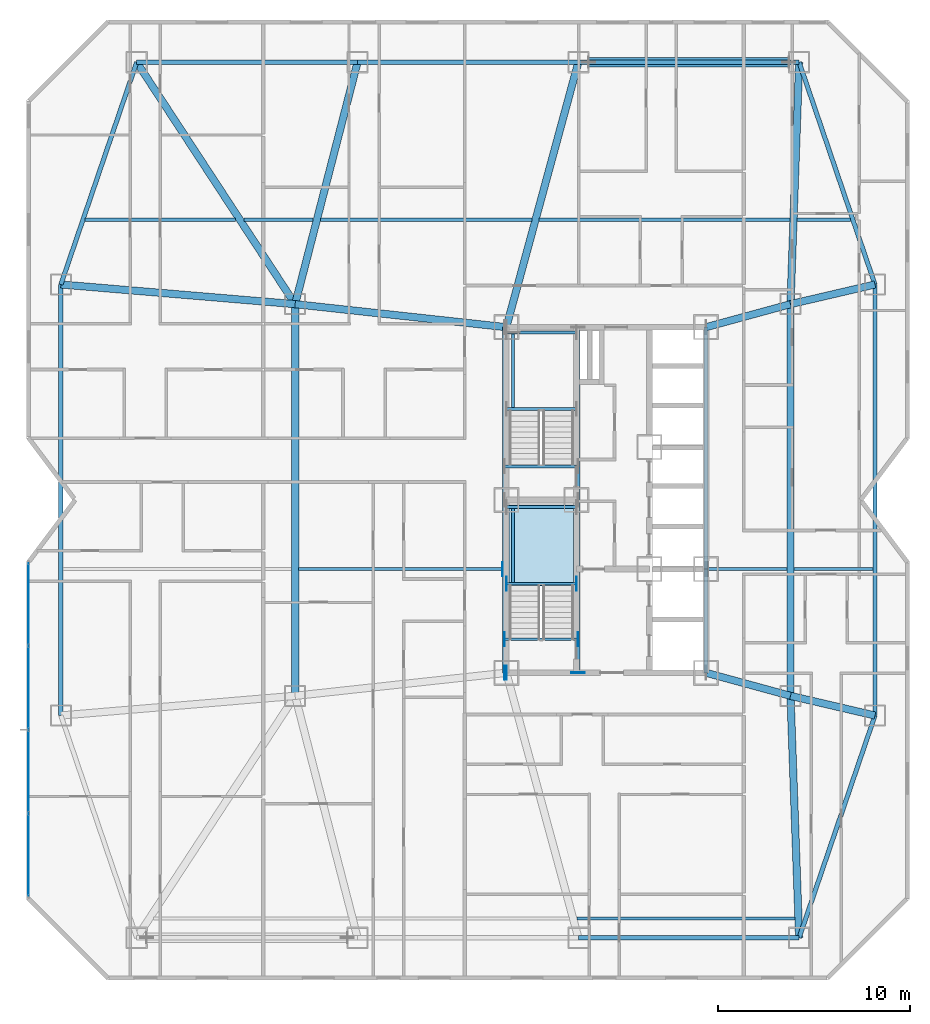
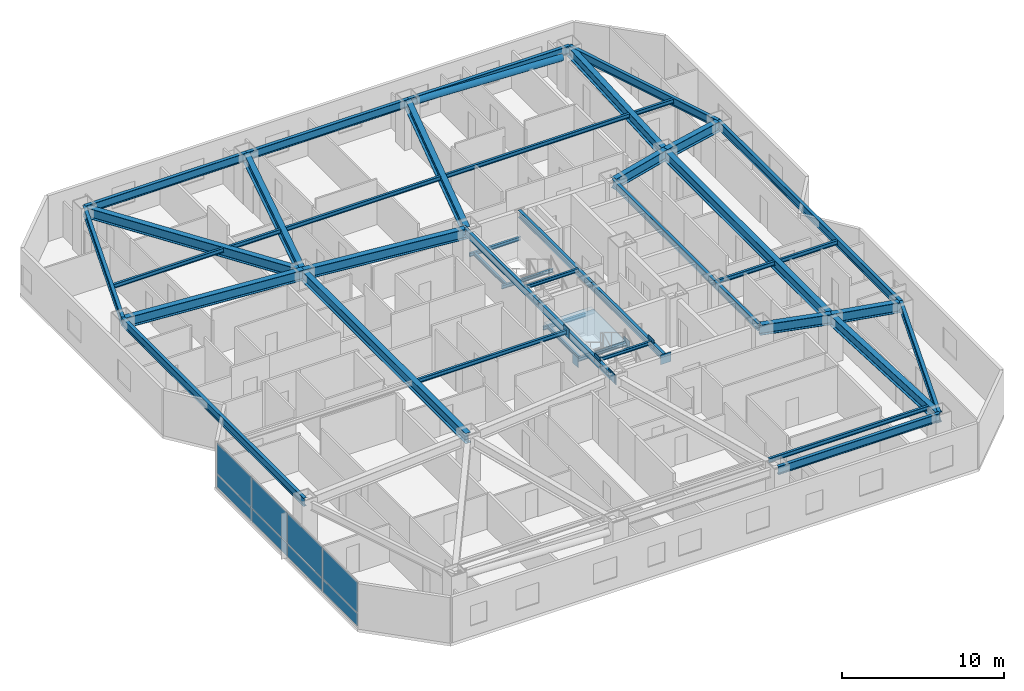
# One storey, part 7 of 18: 45 beams, 16 plates, 1 member, 1 slab, 2 elements without a shape of their own.
"""IFC4 building model written with IfcOpenShell, lengths in metres."""

from ifc_helpers import new_model, si_unit, direction, frame, origin, origin_2d, place, context, subcontext, project, spatial, polyline, rectangle, hollow_circle, i_section, outline, extrude, material, layer, layer_set, material_profile, profile_set, type_object, element, aggregate, save


model = new_model("IFC4")

# Units and contexts
model_context = context("Model", 3, precision=1e-05, world=origin(), true_north=direction((0.0, 1.0)))
body_context = subcontext(model_context, "Body", "Model", "MODEL_VIEW")
ifc_project = project(units=[si_unit("LENGTHUNIT", "METRE"), si_unit("AREAUNIT", "SQUARE_METRE"), si_unit("VOLUMEUNIT", "CUBIC_METRE"), si_unit("PLANEANGLEUNIT", "RADIAN"), si_unit("MASSUNIT", "GRAM", prefix="KILO")], contexts=[model_context])

# Site, building, storey
site_placement = place(None, origin())
site = spatial("IfcSite", under=ifc_project, at=site_placement, CompositionType="ELEMENT")
building_placement = place(site_placement, origin())
building = spatial("IfcBuilding", under=site, at=building_placement, Name="Khamvora Tower", CompositionType="ELEMENT")
storey_placement = place(building_placement, frame((0.0, 0.0, 69.800048828125)))
storey = spatial("IfcBuildingStorey", under=building, at=storey_placement, Name="L17", CompositionType="ELEMENT", Elevation=69.800048828125)

# Beams
ifc_material_1 = material(Name="Steel S355", Category="steel")
ifc_material_profile_1 = material_profile(ifc_material_1, i_section(OverallWidth=0.166015625, OverallDepth=0.31298828125, WebThickness=0.007080078125, FlangeThickness=0.010986328125, FilletRadius=0.010009765625, at=origin_2d()), Name="W310x45")
ifc_profile_set_1 = profile_set([ifc_material_profile_1], Name="Steel S355")
beam_type_1 = type_object("IfcBeamType", Name="BM-JS-W310x45", PredefinedType="JOIST", material=ifc_profile_set_1)
beam_1_placement = place(storey_placement, frame((32.6708984375, 6.199951171875, 3.27392578125), z_axis=(1.0, 0.0, 0.0), x_axis=(0.0, 1.0, 0.0)))
element("IfcBeam", 1, at=beam_1_placement, inside=storey, type_object=beam_type_1, Name="L17 secondary floor joist 03", PredefinedType="JOIST", context=body_context, shape_type="SweptSolid", body=[
    extrude(i_section(OverallWidth=0.166015625, OverallDepth=0.31298828125, WebThickness=0.007080078125, FlangeThickness=0.010986328125, FilletRadius=0.010009765625, at=origin_2d()), origin(), (0.0, 0.0, 1.0), 11.358154296875),
])
beam_2_placement = place(storey_placement, frame((18.18603515625, 24.39990234375, 3.27392578125), z_axis=(1.0, 0.0, 0.0), x_axis=(0.0, 1.0, 0.0)))
element("IfcBeam", 2, at=beam_2_placement, inside=storey, type_object=beam_type_1, Name="L17 secondary floor joist 05", PredefinedType="JOIST", context=body_context, shape_type="SweptSolid", body=[
    extrude(i_section(OverallWidth=0.166015625, OverallDepth=0.31298828125, WebThickness=0.007080078125, FlangeThickness=0.010986328125, FilletRadius=0.010009765625, at=origin_2d()), origin(), (0.0, 0.0, 1.0), 10.614013671875),
])
beam_3_placement = place(storey_placement, frame((39.4990234375, 24.39990234375, 3.27392578125), z_axis=(1.0, 0.0, 0.0), x_axis=(0.0, 1.0, 0.0)))
element("IfcBeam", 3, at=beam_3_placement, inside=storey, type_object=beam_type_1, Name="L17 secondary floor joist 06", PredefinedType="JOIST", context=body_context, shape_type="SweptSolid", body=[
    extrude(i_section(OverallWidth=0.166015625, OverallDepth=0.31298828125, WebThickness=0.007080078125, FlangeThickness=0.010986328125, FilletRadius=0.010009765625, at=origin_2d()), origin(), (0.0, 0.0, 1.0), 4.114990234375),
])
beam_4_placement = place(storey_placement, frame((43.985107421875, 24.39990234375, 3.27392578125), z_axis=(1.0, 0.0, 0.0), x_axis=(0.0, 1.0, 0.0)))
element("IfcBeam", 4, at=beam_4_placement, inside=storey, type_object=beam_type_1, Name="L17 secondary floor joist 07", PredefinedType="JOIST", context=body_context, shape_type="SweptSolid", body=[
    extrude(i_section(OverallWidth=0.166015625, OverallDepth=0.31298828125, WebThickness=0.007080078125, FlangeThickness=0.010986328125, FilletRadius=0.010009765625, at=origin_2d()), origin(), (0.0, 0.0, 1.0), 4.10498046875),
])
beam_5_placement = place(storey_placement, frame((7.068115234375, 42.60009765625, 3.27392578125), z_axis=(1.0, 0.0, 0.0), x_axis=(0.0, 1.0, 0.0)))
element("IfcBeam", 5, at=beam_5_placement, inside=storey, type_object=beam_type_1, Name="L17 secondary floor joist 08", PredefinedType="JOIST", context=body_context, shape_type="SweptSolid", body=[
    extrude(i_section(OverallWidth=0.166015625, OverallDepth=0.31298828125, WebThickness=0.007080078125, FlangeThickness=0.010986328125, FilletRadius=0.010009765625, at=origin_2d()), origin(), (0.0, 0.0, 1.0), 7.827880859375),
])
beam_6_placement = place(storey_placement, frame((15.342041015625, 42.60009765625, 3.27392578125), z_axis=(1.0, 0.0, 0.0), x_axis=(0.0, 1.0, 0.0)))
element("IfcBeam", 6, at=beam_6_placement, inside=storey, type_object=beam_type_1, Name="L17 secondary floor joist 09", PredefinedType="JOIST", context=body_context, shape_type="SweptSolid", body=[
    extrude(i_section(OverallWidth=0.166015625, OverallDepth=0.31298828125, WebThickness=0.007080078125, FlangeThickness=0.010986328125, FilletRadius=0.010009765625, at=origin_2d()), origin(), (0.0, 0.0, 1.0), 3.60107421875),
])
beam_7_placement = place(storey_placement, frame((19.326904296875, 42.60009765625, 3.27392578125), z_axis=(1.0, 0.0, 0.0), x_axis=(0.0, 1.0, 0.0)))
element("IfcBeam", 7, at=beam_7_placement, inside=storey, type_object=beam_type_1, Name="L17 secondary floor joist 10", PredefinedType="JOIST", context=body_context, shape_type="SweptSolid", body=[
    extrude(i_section(OverallWidth=0.166015625, OverallDepth=0.31298828125, WebThickness=0.007080078125, FlangeThickness=0.010986328125, FilletRadius=0.010009765625, at=origin_2d()), origin(), (0.0, 0.0, 1.0), 11.002197265625),
])
beam_8_placement = place(storey_placement, frame((30.714111328125, 42.60009765625, 3.27392578125), z_axis=(1.0, 0.0, 0.0), x_axis=(0.0, 1.0, 0.0)))
element("IfcBeam", 8, at=beam_8_placement, inside=storey, type_object=beam_type_1, Name="L17 secondary floor joist 11", PredefinedType="JOIST", context=body_context, shape_type="SweptSolid", body=[
    extrude(i_section(OverallWidth=0.166015625, OverallDepth=0.31298828125, WebThickness=0.007080078125, FlangeThickness=0.010986328125, FilletRadius=0.010009765625, at=origin_2d()), origin(), (0.0, 0.0, 1.0), 13.057861328125),
])
beam_9_placement = place(storey_placement, frame((44.14306640625, 42.60009765625, 3.27392578125), z_axis=(1.0, 0.0, 0.0), x_axis=(0.0, 1.0, 0.0)))
element("IfcBeam", 9, at=beam_9_placement, inside=storey, type_object=beam_type_1, Name="L17 secondary floor joist 12", PredefinedType="JOIST", context=body_context, shape_type="SweptSolid", body=[
    extrude(i_section(OverallWidth=0.166015625, OverallDepth=0.31298828125, WebThickness=0.007080078125, FlangeThickness=0.010986328125, FilletRadius=0.010009765625, at=origin_2d()), origin(), (0.0, 0.0, 1.0), 2.788818359375),
])
ifc_material_profile_2 = material_profile(ifc_material_1, i_section(OverallWidth=0.14697265625, OverallDepth=0.261962890625, WebThickness=0.007080078125, FlangeThickness=0.010986328125, FilletRadius=0.008056640625, at=origin_2d()), Name="W250x39")
ifc_profile_set_2 = profile_set([ifc_material_profile_2], Name="Steel S355")
beam_type_2 = type_object("IfcBeamType", Name="BM-LN-W250x39", PredefinedType="LINTEL", material=ifc_profile_set_2)
for number, where, z_axis, x_axis, name in (
    (10, (29.0, 23.635009765625, 1.493896484375), (1.0, 0.0, 0.0), (0.0, 1.0, 0.0), "L17 ST-01 half-landing support beam 1.1"),
    (11, (29.0, 27.6298828125, 1.493896484375), (1.0, 0.0, 0.0), (0.0, 1.0, 0.0), "L17 ST-01 half-landing support beam 1.2"),
):
    element("IfcBeam", number, at=place(storey_placement, frame(where, z_axis=z_axis, x_axis=x_axis)), inside=storey, type_object=beam_type_2, Name=name, PredefinedType="LINTEL", context=body_context, shape_type="SweptSolid", body=[
        extrude(i_section(OverallWidth=0.14697265625, OverallDepth=0.261962890625, WebThickness=0.007080078125, FlangeThickness=0.010986328125, FilletRadius=0.008056640625, at=origin_2d()), origin(), (0.0, 0.0, 1.0), 3.64990234375),
    ])
beam_10_placement = place(storey_placement, frame((29.35009765625, 23.635009765625, 1.493896484375), z_axis=(0.0, 1.0, 0.0), x_axis=(-1.0, 0.0, 0.0)))
element("IfcBeam", 12, at=beam_10_placement, inside=storey, type_object=beam_type_2, Name="L17 ST-01 half-landing edge stringer 1", PredefinedType="LINTEL", context=body_context, shape_type="SweptSolid", body=[
    extrude(i_section(OverallWidth=0.14697265625, OverallDepth=0.261962890625, WebThickness=0.007080078125, FlangeThickness=0.010986328125, FilletRadius=0.008056640625, at=origin_2d()), origin(), (0.0, 0.0, 1.0), 3.994873046875),
])
for number, where, z_axis, x_axis, name in (
    (13, (29.0, 32.735107421875, 1.493896484375), (1.0, 0.0, 0.0), (0.0, 1.0, 0.0), "L17 ST-02 half-landing support beam 1.1"),
    (14, (29.0, 36.72998046875, 1.493896484375), (1.0, 0.0, 0.0), (0.0, 1.0, 0.0), "L17 ST-02 half-landing support beam 1.2"),
):
    element("IfcBeam", number, at=place(storey_placement, frame(where, z_axis=z_axis, x_axis=x_axis)), inside=storey, type_object=beam_type_2, Name=name, PredefinedType="LINTEL", context=body_context, shape_type="SweptSolid", body=[
        extrude(i_section(OverallWidth=0.14697265625, OverallDepth=0.261962890625, WebThickness=0.007080078125, FlangeThickness=0.010986328125, FilletRadius=0.008056640625, at=origin_2d()), origin(), (0.0, 0.0, 1.0), 3.64990234375),
    ])
beam_11_placement = place(storey_placement, frame((29.35009765625, 32.735107421875, 1.493896484375), z_axis=(0.0, 1.0, 0.0), x_axis=(-1.0, 0.0, 0.0)))
element("IfcBeam", 15, at=beam_11_placement, inside=storey, type_object=beam_type_2, Name="L17 ST-02 half-landing edge stringer 1", PredefinedType="LINTEL", context=body_context, shape_type="SweptSolid", body=[
    extrude(i_section(OverallWidth=0.14697265625, OverallDepth=0.261962890625, WebThickness=0.007080078125, FlangeThickness=0.010986328125, FilletRadius=0.008056640625, at=origin_2d()), origin(), (0.0, 0.0, 1.0), 3.994873046875),
])
for number, where, z_axis, x_axis, name in (
    (16, (28.89990234375, 20.75, 3.303955078125), (1.0, 0.0, 0.0), (0.0, 1.0, 0.0), "L17 exit stair ST-01 landing trimmer beam"),
    (17, (28.89990234375, 29.75, 3.303955078125), (1.0, 0.0, 0.0), (0.0, 1.0, 0.0), "L17 exit stair ST-02 landing trimmer beam"),
):
    element("IfcBeam", number, at=place(storey_placement, frame(where, z_axis=z_axis, x_axis=x_axis)), inside=storey, type_object=beam_type_2, Name=name, PredefinedType="LINTEL", context=body_context, shape_type="SweptSolid", body=[
        extrude(i_section(OverallWidth=0.14697265625, OverallDepth=0.261962890625, WebThickness=0.007080078125, FlangeThickness=0.010986328125, FilletRadius=0.008056640625, at=origin_2d()), origin(), (0.0, 0.0, 1.0), 3.830078125),
    ])
ifc_material_profile_3 = material_profile(ifc_material_1, i_section(OverallWidth=0.381103515625, OverallDepth=0.77294921875, WebThickness=0.01708984375, FlangeThickness=0.027099609375, FilletRadius=0.01806640625, at=origin_2d()), Name="W760x257")
ifc_profile_set_3 = profile_set([ifc_material_profile_3], Name="Steel S355")
beam_type_3 = type_object("IfcBeamType", Name="BM-PG-W760x257", PredefinedType="BEAM", material=ifc_profile_set_3)
for number, where, z_axis, x_axis, name in (
    (18, (43.800048828125, 17.800048828125, 3.0439453125), (0.0, 1.0, 0.0), (-1.0, 0.0, 0.0), "L17 longitudinal frame girder M1-M2"),
    (19, (18.0, 17.800048828125, 3.0439453125), (0.0, 1.0, 0.0), (-1.0, 0.0, 0.0), "L17 longitudinal frame girder MW1-MW2"),
):
    element("IfcBeam", number, at=place(storey_placement, frame(where, z_axis=z_axis, x_axis=x_axis)), inside=storey, type_object=beam_type_3, Name=name, PredefinedType="BEAM", context=body_context, shape_type="SweptSolid", body=[
        extrude(i_section(OverallWidth=0.381103515625, OverallDepth=0.77294921875, WebThickness=0.01708984375, FlangeThickness=0.027099609375, FilletRadius=0.01806640625, at=origin_2d()), origin(), (0.0, 0.0, 1.0), 20.39990234375),
    ])
beam_12_placement = place(storey_placement, frame((43.800048828125, 17.800048828125, 3.0439453125), z_axis=(0.035687386423, -0.999363002342, 0.0), x_axis=(0.999363002342, 0.035687386423, 0.0)))
element("IfcBeam", 20, at=beam_12_placement, inside=storey, type_object=beam_type_3, Name="L17 primary floor girder S4", PredefinedType="BEAM", context=body_context, shape_type="SweptSolid", body=[
    extrude(i_section(OverallWidth=0.381103515625, OverallDepth=0.77294921875, WebThickness=0.01708984375, FlangeThickness=0.027099609375, FilletRadius=0.01806640625, at=origin_2d()), origin(), (0.0, 0.0, 1.0), 12.608154296875),
])
beam_13_placement = place(storey_placement, frame((18.0, 38.199951171875, 3.0439453125), z_axis=(-0.547782969742, 0.836620474325, 0.0), x_axis=(-0.836620474325, -0.547782969742, 0.0)))
element("IfcBeam", 21, at=beam_13_placement, inside=storey, type_object=beam_type_3, Name="L17 primary floor girder N1", PredefinedType="BEAM", context=body_context, shape_type="SweptSolid", body=[
    extrude(i_section(OverallWidth=0.381103515625, OverallDepth=0.77294921875, WebThickness=0.01708984375, FlangeThickness=0.027099609375, FilletRadius=0.01806640625, at=origin_2d()), origin(), (0.0, 0.0, 1.0), 15.060791015625),
])
beam_14_placement = place(storey_placement, frame((18.0, 38.199951171875, 3.0439453125), z_axis=(0.249759990341, 0.968307775051, 0.0), x_axis=(-0.968307775051, 0.249759990341, 0.0)))
element("IfcBeam", 22, at=beam_14_placement, inside=storey, type_object=beam_type_3, Name="L17 primary floor girder N2", PredefinedType="BEAM", context=body_context, shape_type="SweptSolid", body=[
    extrude(i_section(OverallWidth=0.381103515625, OverallDepth=0.77294921875, WebThickness=0.01708984375, FlangeThickness=0.027099609375, FilletRadius=0.01806640625, at=origin_2d()), origin(), (0.0, 0.0, 1.0), 13.012451171875),
])
beam_15_placement = place(storey_placement, frame((29.0, 37.0, 3.0439453125), z_axis=(0.262228883577, 0.965005706003, 0.0), x_axis=(-0.965005706003, 0.262228883577, 0.0)))
element("IfcBeam", 23, at=beam_15_placement, inside=storey, type_object=beam_type_3, Name="L17 primary floor girder N3", PredefinedType="BEAM", context=body_context, shape_type="SweptSolid", body=[
    extrude(i_section(OverallWidth=0.381103515625, OverallDepth=0.77294921875, WebThickness=0.01708984375, FlangeThickness=0.027099609375, FilletRadius=0.01806640625, at=origin_2d()), origin(), (0.0, 0.0, 1.0), 14.300537109375),
])
beam_16_placement = place(storey_placement, frame((43.800048828125, 38.199951171875, 3.0439453125), z_axis=(0.035687386423, 0.999363002342, 0.0), x_axis=(-0.999363002342, 0.035687386423, 0.0)))
element("IfcBeam", 24, at=beam_16_placement, inside=storey, type_object=beam_type_3, Name="L17 primary floor girder N4", PredefinedType="BEAM", context=body_context, shape_type="SweptSolid", body=[
    extrude(i_section(OverallWidth=0.381103515625, OverallDepth=0.77294921875, WebThickness=0.01708984375, FlangeThickness=0.027099609375, FilletRadius=0.01806640625, at=origin_2d()), origin(), (0.0, 0.0, 1.0), 12.608154296875),
])
beam_17_placement = place(storey_placement, frame((18.0, 38.199951171875, 3.0439453125), z_axis=(-0.996488172114, 0.083733642207, 0.0), x_axis=(-0.083733642207, -0.996488172114, 0.0)))
element("IfcBeam", 25, at=beam_17_placement, inside=storey, type_object=beam_type_3, Name="L17 primary floor girder W2", PredefinedType="BEAM", context=body_context, shape_type="SweptSolid", body=[
    extrude(i_section(OverallWidth=0.381103515625, OverallDepth=0.77294921875, WebThickness=0.01708984375, FlangeThickness=0.027099609375, FilletRadius=0.01806640625, at=origin_2d()), origin(), (0.0, 0.0, 1.0), 12.242919921875),
])
for number, where, z_axis, x_axis, name in (
    (26, (43.800048828125, 17.800048828125, 3.0439453125), (0.973914503503, -0.226915270237, 0.0), (0.226915270237, 0.973914503503, 0.0), "L17 primary floor girder E1"),
    (27, (43.800048828125, 38.199951171875, 3.0439453125), (0.973914503503, 0.226915270237, 0.0), (-0.226915270237, 0.973914503503, 0.0), "L17 primary floor girder E2"),
):
    element("IfcBeam", number, at=place(storey_placement, frame(where, z_axis=z_axis, x_axis=x_axis)), inside=storey, type_object=beam_type_3, Name=name, PredefinedType="BEAM", context=body_context, shape_type="SweptSolid", body=[
        extrude(i_section(OverallWidth=0.381103515625, OverallDepth=0.77294921875, WebThickness=0.01708984375, FlangeThickness=0.027099609375, FilletRadius=0.01806640625, at=origin_2d()), origin(), (0.0, 0.0, 1.0), 4.517822265625),
    ])
beam_18_placement = place(storey_placement, frame((29.0, 37.0, 3.0439453125), z_axis=(-0.994102652327, 0.108443149329, 0.0), x_axis=(-0.108443149329, -0.994102652327, 0.0)))
element("IfcBeam", 28, at=beam_18_placement, inside=storey, type_object=beam_type_3, Name="L17 primary floor girder MW2", PredefinedType="BEAM", context=body_context, shape_type="SweptSolid", body=[
    extrude(i_section(OverallWidth=0.381103515625, OverallDepth=0.77294921875, WebThickness=0.01708984375, FlangeThickness=0.027099609375, FilletRadius=0.01806640625, at=origin_2d()), origin(), (0.0, 0.0, 1.0), 11.065185546875),
])
for number, where, z_axis, x_axis, name in (
    (29, (39.39990234375, 19.0, 3.0439453125), (0.964768762286, -0.263099287945, 0.0), (0.263099287945, 0.964768762286, 0.0), "L17 primary floor girder M1"),
    (30, (39.39990234375, 37.0, 3.0439453125), (0.964768762286, 0.263099287945, 0.0), (-0.263099287945, 0.964768762286, 0.0), "L17 primary floor girder M2"),
):
    element("IfcBeam", number, at=place(storey_placement, frame(where, z_axis=z_axis, x_axis=x_axis)), inside=storey, type_object=beam_type_3, Name=name, PredefinedType="BEAM", context=body_context, shape_type="SweptSolid", body=[
        extrude(i_section(OverallWidth=0.381103515625, OverallDepth=0.77294921875, WebThickness=0.01708984375, FlangeThickness=0.027099609375, FilletRadius=0.01806640625, at=origin_2d()), origin(), (0.0, 0.0, 1.0), 4.560791015625),
    ])
ifc_material_profile_4 = material_profile(ifc_material_1, i_section(OverallWidth=0.208984375, OverallDepth=0.532958984375, WebThickness=0.010009765625, FlangeThickness=0.01611328125, FilletRadius=0.013916015625, at=origin_2d()), Name="W530x92")
ifc_profile_set_4 = profile_set([ifc_material_profile_4], Name="Steel S355")
beam_type_4 = type_object("IfcBeamType", Name="BM-SP-W530x92", PredefinedType="SPANDREL", material=ifc_profile_set_4)
for number, where, z_axis, x_axis, name in (
    (31, (28.89990234375, 19.0, 3.1640625), (0.0, 1.0, 0.0), (-1.0, 0.0, 0.0), "L17 core spine girder WS"),
    (32, (28.89990234375, 28.0, 3.1640625), (0.0, 1.0, 0.0), (-1.0, 0.0, 0.0), "L17 core spine girder WN"),
    (33, (32.72998046875, 19.0, 3.1640625), (0.0, 1.0, 0.0), (-1.0, 0.0, 0.0), "L17 core spine girder M1S"),
    (34, (32.72998046875, 28.0, 3.1640625), (0.0, 1.0, 0.0), (-1.0, 0.0, 0.0), "L17 core spine girder M1N"),
):
    element("IfcBeam", number, at=place(storey_placement, frame(where, z_axis=z_axis, x_axis=x_axis)), inside=storey, type_object=beam_type_4, Name=name, PredefinedType="SPANDREL", context=body_context, shape_type="SweptSolid", body=[
        extrude(i_section(OverallWidth=0.208984375, OverallDepth=0.532958984375, WebThickness=0.010009765625, FlangeThickness=0.01611328125, FilletRadius=0.013916015625, at=origin_2d()), origin(), (0.0, 0.0, 1.0), 9.0),
    ])
beam_19_placement = place(storey_placement, frame((39.39990234375, 19.0, 3.1640625), z_axis=(0.0, 1.0, 0.0), x_axis=(-1.0, 0.0, 0.0)))
element("IfcBeam", 35, at=beam_19_placement, inside=storey, type_object=beam_type_4, Name="L17 core spine girder ES", PredefinedType="SPANDREL", context=body_context, shape_type="SweptSolid", body=[
    extrude(i_section(OverallWidth=0.208984375, OverallDepth=0.532958984375, WebThickness=0.010009765625, FlangeThickness=0.01611328125, FilletRadius=0.013916015625, at=origin_2d()), origin(), (0.0, 0.0, 1.0), 5.39990234375),
])
beam_20_placement = place(storey_placement, frame((39.39990234375, 24.39990234375, 3.1640625), z_axis=(0.0, 1.0, 0.0), x_axis=(-1.0, 0.0, 0.0)))
element("IfcBeam", 36, at=beam_20_placement, inside=storey, type_object=beam_type_4, Name="L17 core spine girder EN", PredefinedType="SPANDREL", context=body_context, shape_type="SweptSolid", body=[
    extrude(i_section(OverallWidth=0.208984375, OverallDepth=0.532958984375, WebThickness=0.010009765625, FlangeThickness=0.01611328125, FilletRadius=0.013916015625, at=origin_2d()), origin(), (0.0, 0.0, 1.0), 12.60009765625),
])
ifc_material_profile_5 = material_profile(ifc_material_1, i_section(OverallWidth=0.22998046875, OverallDepth=0.616943359375, WebThickness=0.012939453125, FlangeThickness=0.02197265625, FilletRadius=0.013916015625, at=origin_2d()), Name="W610x140")
ifc_profile_set_5 = profile_set([ifc_material_profile_5], Name="Steel S355")
beam_type_5 = type_object("IfcBeamType", Name="BM-SP-W610x140", PredefinedType="SPANDREL", material=ifc_profile_set_5)
beam_21_placement = place(storey_placement, frame((32.75, 5.199951171875, 3.1220703125), z_axis=(1.0, 0.0, 0.0), x_axis=(0.0, 1.0, 0.0)))
element("IfcBeam", 37, at=beam_21_placement, inside=storey, type_object=beam_type_5, Name="L17 perimeter spandrel beam S3-S4", PredefinedType="SPANDREL", context=body_context, shape_type="SweptSolid", body=[
    extrude(i_section(OverallWidth=0.22998046875, OverallDepth=0.616943359375, WebThickness=0.012939453125, FlangeThickness=0.02197265625, FilletRadius=0.013916015625, at=origin_2d()), origin(), (0.0, 0.0, 1.0), 11.5),
])
beam_22_placement = place(storey_placement, frame((44.25, 5.199951171875, 3.1220703125), z_axis=(0.322962893199, 0.946411628002, 0.0), x_axis=(-0.946411628002, 0.322962893199, 0.0)))
element("IfcBeam", 38, at=beam_22_placement, inside=storey, type_object=beam_type_5, Name="L17 perimeter spandrel beam S4-E1", PredefinedType="SPANDREL", context=body_context, shape_type="SweptSolid", body=[
    extrude(i_section(OverallWidth=0.22998046875, OverallDepth=0.616943359375, WebThickness=0.012939453125, FlangeThickness=0.02197265625, FilletRadius=0.013916015625, at=origin_2d()), origin(), (0.0, 0.0, 1.0), 12.23046875),
])
beam_23_placement = place(storey_placement, frame((48.199951171875, 16.77490234375, 3.1220703125), z_axis=(0.0, 1.0, 0.0), x_axis=(-1.0, 0.0, 0.0)))
element("IfcBeam", 39, at=beam_23_placement, inside=storey, type_object=beam_type_5, Name="L17 perimeter spandrel beam E1-E2", PredefinedType="SPANDREL", context=body_context, shape_type="SweptSolid", body=[
    extrude(i_section(OverallWidth=0.22998046875, OverallDepth=0.616943359375, WebThickness=0.012939453125, FlangeThickness=0.02197265625, FilletRadius=0.013916015625, at=origin_2d()), origin(), (0.0, 0.0, 1.0), 22.4501953125),
])
beam_24_placement = place(storey_placement, frame((48.199951171875, 39.22509765625, 3.1220703125), z_axis=(-0.322962893199, 0.946411628002, 0.0), x_axis=(-0.946411628002, -0.322962893199, 0.0)))
element("IfcBeam", 40, at=beam_24_placement, inside=storey, type_object=beam_type_5, Name="L17 perimeter spandrel beam E2-N4", PredefinedType="SPANDREL", context=body_context, shape_type="SweptSolid", body=[
    extrude(i_section(OverallWidth=0.22998046875, OverallDepth=0.616943359375, WebThickness=0.012939453125, FlangeThickness=0.02197265625, FilletRadius=0.013916015625, at=origin_2d()), origin(), (0.0, 0.0, 1.0), 12.23046875),
])
for number, where, z_axis, x_axis, name in (
    (41, (44.25, 50.800048828125, 3.1220703125), (-1.0, 0.0, 0.0), (0.0, -1.0, 0.0), "L17 perimeter spandrel beam N4-N3"),
    (42, (32.75, 50.800048828125, 3.1220703125), (-1.0, 0.0, 0.0), (0.0, -1.0, 0.0), "L17 perimeter spandrel beam N3-N2"),
    (43, (21.25, 50.800048828125, 3.1220703125), (-1.0, 0.0, 0.0), (0.0, -1.0, 0.0), "L17 perimeter spandrel beam N2-N1"),
):
    element("IfcBeam", number, at=place(storey_placement, frame(where, z_axis=z_axis, x_axis=x_axis)), inside=storey, type_object=beam_type_5, Name=name, PredefinedType="SPANDREL", context=body_context, shape_type="SweptSolid", body=[
        extrude(i_section(OverallWidth=0.22998046875, OverallDepth=0.616943359375, WebThickness=0.012939453125, FlangeThickness=0.02197265625, FilletRadius=0.013916015625, at=origin_2d()), origin(), (0.0, 0.0, 1.0), 11.5),
    ])
beam_25_placement = place(storey_placement, frame((9.75, 50.800048828125, 3.1220703125), z_axis=(-0.322962893199, -0.946411628002, 0.0), x_axis=(0.946411628002, -0.322962893199, 0.0)))
element("IfcBeam", 44, at=beam_25_placement, inside=storey, type_object=beam_type_5, Name="L17 perimeter spandrel beam N1-W2", PredefinedType="SPANDREL", context=body_context, shape_type="SweptSolid", body=[
    extrude(i_section(OverallWidth=0.22998046875, OverallDepth=0.616943359375, WebThickness=0.012939453125, FlangeThickness=0.02197265625, FilletRadius=0.013916015625, at=origin_2d()), origin(), (0.0, 0.0, 1.0), 12.23046875),
])
beam_26_placement = place(storey_placement, frame((5.800048828125, 39.22509765625, 3.1220703125), z_axis=(0.0, -1.0, 0.0), x_axis=(1.0, 0.0, 0.0)))
element("IfcBeam", 45, at=beam_26_placement, inside=storey, type_object=beam_type_5, Name="L17 perimeter spandrel beam W2-W1", PredefinedType="SPANDREL", context=body_context, shape_type="SweptSolid", body=[
    extrude(i_section(OverallWidth=0.22998046875, OverallDepth=0.616943359375, WebThickness=0.012939453125, FlangeThickness=0.02197265625, FilletRadius=0.013916015625, at=origin_2d()), origin(), (0.0, 0.0, 1.0), 22.4501953125),
])

# Member
ifc_material_2 = material(Name="Steel S460", Category="steel")
ifc_material_profile_6 = material_profile(ifc_material_2, hollow_circle(Radius=0.25390625, WallThickness=0.02490234375, at=origin_2d()), Name="CHS508x25")
ifc_profile_set_6 = profile_set([ifc_material_profile_6], Name="Steel S460")
member_type = type_object("IfcMemberType", Name="MEM-BR-CHS508", PredefinedType="BRACE", material=ifc_profile_set_6)
member_placement = place(storey_placement, frame((43.719970703125, 50.800048828125, 2.699951171875), z_axis=(-0.999259102168, 0.0, 0.038486968366), x_axis=(0.0, -1.0, 0.0)))
element("IfcMember", 46, at=member_placement, inside=storey, type_object=member_type, Name="L17 perimeter wind brace 2", PredefinedType="BRACE", context=body_context, shape_type="SweptSolid", body=[
    extrude(hollow_circle(Radius=0.25390625, WallThickness=0.02490234375, at=origin_2d()), origin(), (0.0, 0.0, 1.0), 10.44775390625),
])

# Curtain wall, plates
ifc_material_3 = material(Name="Anodised Aluminium 6063-T6", Category="aluminium")
curtain_wall_type = type_object("IfcCurtainWallType", Name="CW-SYS-02", PredefinedType="NOTDEFINED", material=ifc_material_3)
curtain_wall_placement = place(storey_placement, origin())
curtain_wall = element("IfcCurtainWall", 47, at=curtain_wall_placement, inside=storey, type_object=curtain_wall_type, Name="L17 stick curtain wall 02.1", PredefinedType="NOTDEFINED")
ifc_material_4 = material(Name="Low-E Laminated Double Glazing", Category="glass")
ifc_layer_1 = layer(ifc_material_4, 0.031982421875)
ifc_layer_set_1 = layer_set([ifc_layer_1], Name="Low-E Laminated Double Glazing")
plate_type_1 = type_object("IfcPlateType", Name="CW-SYS-02-PNL", PredefinedType="CURTAIN_PANEL", material=ifc_layer_set_1)
plate_1_placement = place(storey_placement, frame((4.110107421875, 9.51513671875, 0.06982421875), z_axis=(0.0, 0.0, 1.0), x_axis=(0.0, 1.0, 0.0)))
plate_1 = element("IfcPlate", 48, at=plate_1_placement, type_object=plate_type_1, Name="CW-02 panel 1.1", PredefinedType="CURTAIN_PANEL", context=body_context, shape_type="SweptSolid", body=[
    extrude(rectangle(XDim=4.256591796875, YDim=0.031982421875, at=origin_2d()), origin(), (0.0, 0.0, 1.0), 0.945068359375),
])
plate_2_placement = place(storey_placement, frame((4.110107421875, 9.51513671875, 1.0849609375), z_axis=(0.0, 0.0, 1.0), x_axis=(0.0, 1.0, 0.0)))
plate_2 = element("IfcPlate", 49, at=plate_2_placement, type_object=plate_type_1, Name="CW-02 panel 1.2", PredefinedType="CURTAIN_PANEL", context=body_context, shape_type="SweptSolid", body=[
    extrude(rectangle(XDim=4.256591796875, YDim=0.031982421875, at=origin_2d()), origin(), (0.0, 0.0, 1.0), 2.27490234375),
])
plate_3_placement = place(storey_placement, frame((4.110107421875, 13.859130859375, 0.06982421875), z_axis=(0.0, 0.0, 1.0), x_axis=(0.0, 1.0, 0.0)))
plate_3 = element("IfcPlate", 50, at=plate_3_placement, type_object=plate_type_1, Name="CW-02 panel 2.1", PredefinedType="CURTAIN_PANEL", context=body_context, shape_type="SweptSolid", body=[
    extrude(rectangle(XDim=4.29150390625, YDim=0.031982421875, at=origin_2d()), origin(), (0.0, 0.0, 1.0), 0.945068359375),
])
plate_4_placement = place(storey_placement, frame((4.110107421875, 13.859130859375, 1.0849609375), z_axis=(0.0, 0.0, 1.0), x_axis=(0.0, 1.0, 0.0)))
plate_4 = element("IfcPlate", 51, at=plate_4_placement, type_object=plate_type_1, Name="CW-02 panel 2.2", PredefinedType="CURTAIN_PANEL", context=body_context, shape_type="SweptSolid", body=[
    extrude(rectangle(XDim=4.29150390625, YDim=0.031982421875, at=origin_2d()), origin(), (0.0, 0.0, 1.0), 2.27490234375),
])
plate_5_placement = place(storey_placement, frame((4.110107421875, 18.220703125, 0.06982421875), z_axis=(0.0, 0.0, 1.0), x_axis=(0.0, 1.0, 0.0)))
plate_5 = element("IfcPlate", 52, at=plate_5_placement, type_object=plate_type_1, Name="CW-02 panel 3.1", PredefinedType="CURTAIN_PANEL", context=body_context, shape_type="SweptSolid", body=[
    extrude(rectangle(XDim=4.29150390625, YDim=0.031982421875, at=origin_2d()), origin(), (0.0, 0.0, 1.0), 0.945068359375),
])
plate_6_placement = place(storey_placement, frame((4.110107421875, 18.220703125, 1.0849609375), z_axis=(0.0, 0.0, 1.0), x_axis=(0.0, 1.0, 0.0)))
plate_6 = element("IfcPlate", 53, at=plate_6_placement, type_object=plate_type_1, Name="CW-02 panel 3.2", PredefinedType="CURTAIN_PANEL", context=body_context, shape_type="SweptSolid", body=[
    extrude(rectangle(XDim=4.29150390625, YDim=0.031982421875, at=origin_2d()), origin(), (0.0, 0.0, 1.0), 2.27490234375),
])
plate_7_placement = place(storey_placement, frame((4.110107421875, 22.564697265625, 0.06982421875), z_axis=(0.0, 0.0, 1.0), x_axis=(0.0, 1.0, 0.0)))
plate_7 = element("IfcPlate", 54, at=plate_7_placement, type_object=plate_type_1, Name="CW-02 panel 4.1", PredefinedType="CURTAIN_PANEL", context=body_context, shape_type="SweptSolid", body=[
    extrude(rectangle(XDim=4.256591796875, YDim=0.031982421875, at=origin_2d()), origin(), (0.0, 0.0, 1.0), 0.945068359375),
])
plate_8_placement = place(storey_placement, frame((4.110107421875, 22.564697265625, 1.0849609375), z_axis=(0.0, 0.0, 1.0), x_axis=(0.0, 1.0, 0.0)))
plate_8 = element("IfcPlate", 55, at=plate_8_placement, type_object=plate_type_1, Name="CW-02 panel 4.2", PredefinedType="CURTAIN_PANEL", context=body_context, shape_type="SweptSolid", body=[
    extrude(rectangle(XDim=4.256591796875, YDim=0.031982421875, at=origin_2d()), origin(), (0.0, 0.0, 1.0), 2.27490234375),
])
aggregate(curtain_wall, [plate_1, plate_2, plate_3, plate_4, plate_5, plate_6, plate_7, plate_8])

# Plates
ifc_layer_2 = layer(ifc_material_2, 0.034912109375)
ifc_layer_set_2 = layer_set([ifc_layer_2], Name="Steel S460")
plate_type_2 = type_object("IfcPlateType", Name="PL-EMB-35", PredefinedType="SHEET", material=ifc_layer_set_2)
for number, where, z_axis, x_axis, name in (
    (56, (29.0, 23.635009765625, 1.1337890625), (0.0, 0.0, 1.0), (1.0, 0.0, 0.0), "L17 core shear wall cast-in embed plate 0506"),
    (57, (32.64990234375, 23.635009765625, 1.1337890625), (0.0, 0.0, 1.0), (1.0, 0.0, 0.0), "L17 core shear wall cast-in embed plate 0507"),
    (58, (29.0, 19.0, 2.68408203125), (0.0, 0.0, 1.0), (1.0, 0.0, 0.0), "L17 core shear wall cast-in embed plate 0515"),
    (59, (28.89990234375, 19.0, 2.80419921875), (0.0, 0.0, 1.0), (1.0, 0.0, 0.0), "L17 core shear wall cast-in embed plate 0519"),
):
    element("IfcPlate", number, at=place(storey_placement, frame(where, z_axis=z_axis, x_axis=x_axis)), inside=storey, type_object=plate_type_2, Name=name, PredefinedType="SHEET", context=body_context, shape_type="SweptSolid", body=[
        extrude(rectangle(XDim=0.034912109375, YDim=0.719970703125, at=origin_2d()), origin(), (0.0, 0.0, 1.0), 0.719970703125),
    ])
plate_9_placement = place(storey_placement, frame((32.72998046875, 19.0, 2.80419921875), z_axis=(0.0, 0.0, 1.0), x_axis=(1.0, 0.0, 0.0)))
element("IfcPlate", 60, at=plate_9_placement, inside=storey, type_object=plate_type_2, Name="L17 core shear wall cast-in embed plate 0522", PredefinedType="SHEET", context=body_context, shape_type="SweptSolid", body=[
    extrude(rectangle(XDim=0.719970703125, YDim=0.034912109375, at=origin_2d()), origin(), (0.0, 0.0, 1.0), 0.719970703125),
])
for number, where, z_axis, x_axis, name in (
    (61, (28.89990234375, 20.75, 2.94384765625), (0.0, 0.0, 1.0), (1.0, 0.0, 0.0), "L17 core shear wall cast-in embed plate 0528"),
    (62, (32.72998046875, 20.75, 2.94384765625), (0.0, 0.0, 1.0), (1.0, 0.0, 0.0), "L17 core shear wall cast-in embed plate 0529"),
    (63, (28.800048828125, 24.39990234375, 2.9140625), (0.0, 0.0, 1.0), (1.0, 0.0, 0.0), "L17 core shear wall cast-in embed plate 0532"),
):
    element("IfcPlate", number, at=place(storey_placement, frame(where, z_axis=z_axis, x_axis=x_axis)), inside=storey, type_object=plate_type_2, Name=name, PredefinedType="SHEET", context=body_context, shape_type="SweptSolid", body=[
        extrude(rectangle(XDim=0.034912109375, YDim=0.719970703125, at=origin_2d()), origin(), (0.0, 0.0, 1.0), 0.719970703125),
    ])

# Stair, slab
ifc_material_5 = material(Name="Concrete C40/50", Category="concrete")
stair_type = type_object("IfcStairType", Name="STR-ST-01", PredefinedType="HALF_TURN_STAIR", material=ifc_material_5)
stair_placement = place(storey_placement, origin())
stair = element("IfcStair", 64, at=stair_placement, inside=storey, type_object=stair_type, Name="L17 South Tower Exit Stair ST-01", PredefinedType="HALF_TURN_STAIR")
ifc_layer_3 = layer(ifc_material_5, 0.199951171875)
ifc_layer_set_3 = layer_set([ifc_layer_3], Name="Concrete C40/50")
slab_type = type_object("IfcSlabType", Name="SLB-LND-200", PredefinedType="LANDING", material=ifc_layer_set_3)
slab_placement = place(storey_placement, frame((0.0, 0.0, 1.625)))
slab = element("IfcSlab", 65, at=slab_placement, type_object=slab_type, Name="ST-01 landing 1", PredefinedType="LANDING", context=body_context, shape_type="SweptSolid", body=[
    extrude(outline(polyline([(32.5, 23.514892578125), (32.5, 27.75), (29.14990234375, 27.75), (29.14990234375, 23.514892578125), (32.5, 23.514892578125)])), origin(), (0.0, 0.0, 1.0), 0.199951171875),
])
aggregate(stair, [slab])

save(model, "model.ifc")
